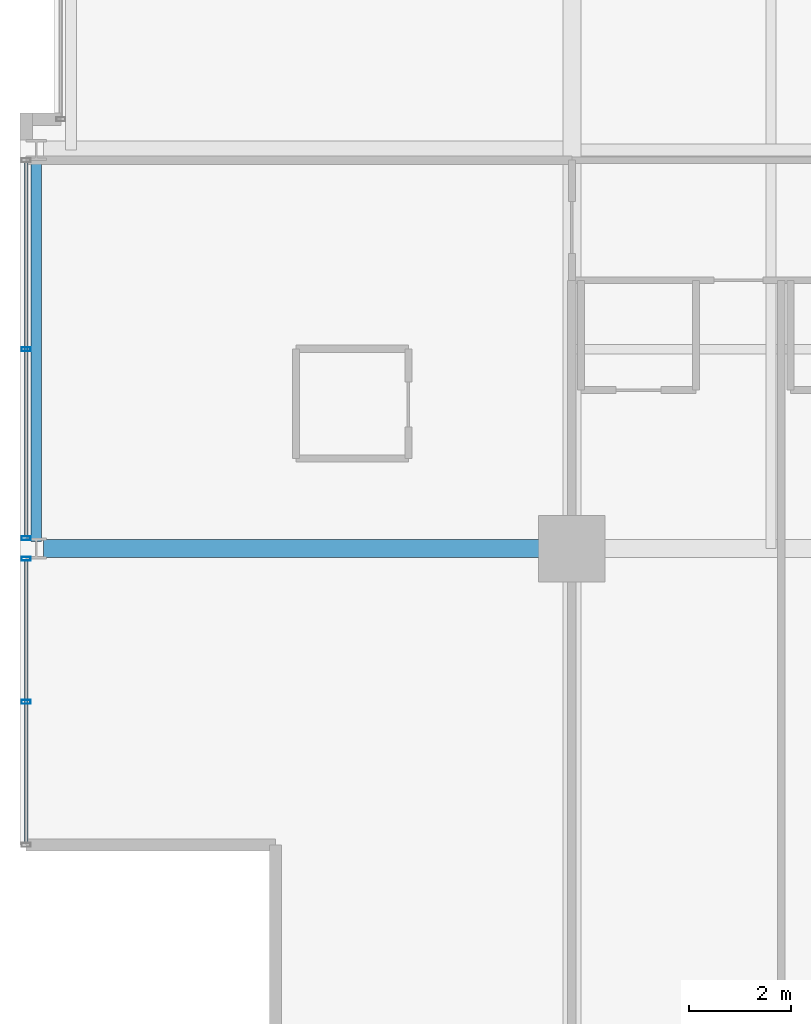
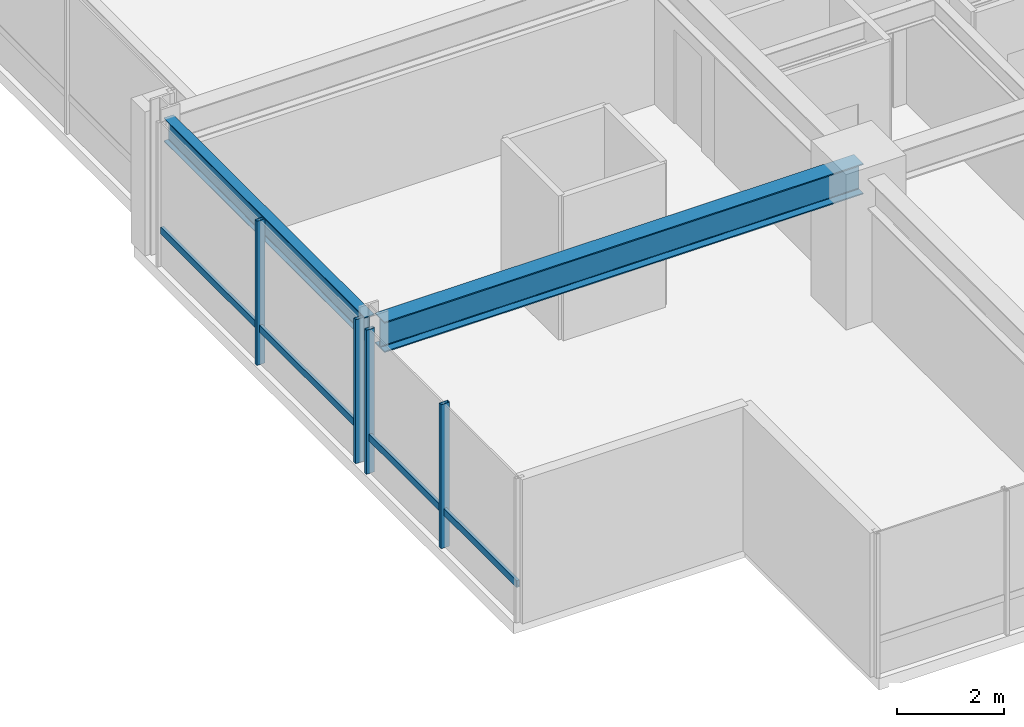
# One storey, part 4 of 32: 6 members, 2 beams, 2 elements without a shape of their own.
"""IFC4 building model written with IfcOpenShell, lengths in metres."""

from ifc_helpers import new_model, si_unit, direction, frame, origin, origin_2d, place, context, subcontext, project, spatial, hollow_rectangle, i_section, extrude, material, layer, layer_set, material_profile, profile_set, type_object, element, aggregate, save


model = new_model("IFC4")

# Units and contexts
model_context = context("Model", 3, precision=1e-05, world=origin(), true_north=direction((0.0, 1.0)))
body_context = subcontext(model_context, "Body", "Model", "MODEL_VIEW")
ifc_project = project(units=[si_unit("LENGTHUNIT", "METRE"), si_unit("AREAUNIT", "SQUARE_METRE"), si_unit("VOLUMEUNIT", "CUBIC_METRE"), si_unit("PLANEANGLEUNIT", "RADIAN"), si_unit("MASSUNIT", "GRAM", prefix="KILO")], contexts=[model_context])

# Site, building, storey
site_placement = place(None, origin())
site = spatial("IfcSite", under=ifc_project, at=site_placement, CompositionType="ELEMENT")
building_placement = place(site_placement, origin())
building = spatial("IfcBuilding", under=site, at=building_placement, Name="Drelvath Grand Hotel", CompositionType="ELEMENT")
storey_placement = place(building_placement, frame((0.0, 0.0, 157.5)))
storey = spatial("IfcBuildingStorey", under=building, at=storey_placement, Name="L40", CompositionType="ELEMENT", Elevation=157.5)

# Curtain wall, member
ifc_material_1 = material(Name="Brushed Pale-Silver Anodised Aluminium Frame", Category="aluminium")
ifc_layer = layer(ifc_material_1, 0.199951171875)
ifc_layer_set = layer_set([ifc_layer], Name="Brushed Pale-Silver Anodised Aluminium Frame")
curtain_wall_type = type_object("IfcCurtainWallType", Name="Stick Curtain Wall CW-04 Brushed Silver Upper-Mid", PredefinedType="NOTDEFINED", material=ifc_layer_set)
curtain_wall_1_placement = place(storey_placement, origin())
curtain_wall_1 = element("IfcCurtainWall", 1, at=curtain_wall_1_placement, inside=storey, type_object=curtain_wall_type, Name="L40 CW-04 Curtain Wall CW04-L40-WS1", PredefinedType="NOTDEFINED")
ifc_material_profile_1 = material_profile(ifc_material_1, hollow_rectangle(XDim=0.06494140625, YDim=0.159912109375, WallThickness=0.00390625, at=origin_2d()), Name="HSS160X65X4")
ifc_profile_set_1 = profile_set([ifc_material_profile_1], Name="Brushed Pale-Silver Anodised Aluminium Frame")
member_type_1 = type_object("IfcMemberType", Name="Curtain Wall Horizontal Transom CW-04 HSS160X65X4", PredefinedType="USERDEFINED", material=ifc_profile_set_1)
member_1_placement = place(storey_placement, frame((-26.8798828125, 5.0400390625, 0.822509765625), z_axis=(0.0, 1.0, 0.0), x_axis=(-1.0, 0.0, 0.0)))
member_1 = element("IfcMember", 2, at=member_1_placement, type_object=member_type_1, Name="CW04-L40-WS1 Sill Transom", ObjectType="TRANSOM", PredefinedType="USERDEFINED", context=body_context, shape_type="SweptSolid", body=[
    extrude(hollow_rectangle(XDim=0.06494140625, YDim=0.159912109375, WallThickness=0.00390625, at=origin_2d()), origin(), (0.0, 0.0, 1.0), 5.519775390625),
])

curtain_wall_2_placement = place(storey_placement, origin())
curtain_wall_2 = element("IfcCurtainWall", 3, at=curtain_wall_2_placement, inside=storey, type_object=curtain_wall_type, Name="L40 CW-04 Curtain Wall CW04-L40-WS2", PredefinedType="NOTDEFINED")
member_2_placement = place(storey_placement, frame((-26.8798828125, 11.0400390625, 0.822509765625), z_axis=(0.0, 1.0, 0.0), x_axis=(-1.0, 0.0, 0.0)))
member_2 = element("IfcMember", 4, at=member_2_placement, type_object=member_type_1, Name="CW04-L40-WS2 Sill Transom", ObjectType="TRANSOM", PredefinedType="USERDEFINED", context=body_context, shape_type="SweptSolid", body=[
    extrude(hollow_rectangle(XDim=0.06494140625, YDim=0.159912109375, WallThickness=0.00390625, at=origin_2d()), origin(), (0.0, 0.0, 1.0), 7.320068359375),
])

# Member
ifc_material_profile_2 = material_profile(ifc_material_1, hollow_rectangle(XDim=0.074951171875, YDim=0.179931640625, WallThickness=0.0048828125, at=origin_2d()), Name="HSS180X75X5")
ifc_profile_set_2 = profile_set([ifc_material_profile_2], Name="Brushed Pale-Silver Anodised Aluminium Frame")
member_type_2 = type_object("IfcMemberType", Name="Curtain Wall Vertical Mullion CW-04 HSS180X75X5", PredefinedType="MULLION", material=ifc_profile_set_2)
member_3_placement = place(storey_placement, frame((-26.8798828125, 7.7998046875, 0.0), z_axis=(0.0, 0.0, 1.0), x_axis=(0.0, 1.0, 0.0)))
member_3 = element("IfcMember", 5, at=member_3_placement, type_object=member_type_2, Name="CW04-L40-WS1 Mullion 2", PredefinedType="MULLION", context=body_context, shape_type="SweptSolid", body=[
    extrude(hollow_rectangle(XDim=0.074951171875, YDim=0.179931640625, WallThickness=0.0048828125, at=origin_2d()), origin(), (0.0, 0.0, 1.0), 3.2900390625),
])

member_4_placement = place(storey_placement, frame((-26.8798828125, 10.599853515625, 0.0), z_axis=(0.0, 0.0, 1.0), x_axis=(0.0, 1.0, 0.0)))
member_4 = element("IfcMember", 6, at=member_4_placement, type_object=member_type_2, Name="CW04-L40-WS1 Mullion 3", PredefinedType="MULLION", context=body_context, shape_type="SweptSolid", body=[
    extrude(hollow_rectangle(XDim=0.074951171875, YDim=0.179931640625, WallThickness=0.0048828125, at=origin_2d()), origin(), (0.0, 0.0, 1.0), 3.2900390625),
])

aggregate(curtain_wall_1, [member_3, member_4, member_1])

member_5_placement = place(storey_placement, frame((-26.8798828125, 11.0, 0.0), z_axis=(0.0, 0.0, 1.0), x_axis=(0.0, 1.0, 0.0)))
member_5 = element("IfcMember", 7, at=member_5_placement, type_object=member_type_2, Name="CW04-L40-WS2 Mullion 1", PredefinedType="MULLION", context=body_context, shape_type="SweptSolid", body=[
    extrude(hollow_rectangle(XDim=0.074951171875, YDim=0.179931640625, WallThickness=0.0048828125, at=origin_2d()), origin(), (0.0, 0.0, 1.0), 3.2900390625),
])

member_6_placement = place(storey_placement, frame((-26.8798828125, 14.699951171875, 0.0), z_axis=(0.0, 0.0, 1.0), x_axis=(0.0, 1.0, 0.0)))
member_6 = element("IfcMember", 8, at=member_6_placement, type_object=member_type_2, Name="CW04-L40-WS2 Mullion 2", PredefinedType="MULLION", context=body_context, shape_type="SweptSolid", body=[
    extrude(hollow_rectangle(XDim=0.074951171875, YDim=0.179931640625, WallThickness=0.0048828125, at=origin_2d()), origin(), (0.0, 0.0, 1.0), 3.2900390625),
])

aggregate(curtain_wall_2, [member_5, member_6, member_2])

# Beams
ifc_material_2 = material(Name="Steel ASTM A992 Gr 50", Category="steel")
ifc_material_profile_3 = material_profile(ifc_material_2, i_section(OverallWidth=0.210205078125, OverallDepth=0.53662109375, WebThickness=0.010986328125, FlangeThickness=0.017333984375, FilletRadius=0.01806640625, at=origin_2d()), Name="W21X68")
ifc_profile_set_3 = profile_set([ifc_material_profile_3], Name="Steel ASTM A992 Gr 50")
beam_type_1 = type_object("IfcBeamType", Name="Perimeter Spandrel Beam W21X68", PredefinedType="SPANDREL", material=ifc_profile_set_3)
beam_1_placement = place(storey_placement, frame((-26.679931640625, 10.93994140625, 3.021484375), z_axis=(0.0, 1.0, 0.0), x_axis=(-1.0, 0.0, 0.0)))
element("IfcBeam", 9, at=beam_1_placement, inside=storey, type_object=beam_type_1, Name="L40 Spandrel West S", PredefinedType="SPANDREL", context=body_context, shape_type="SweptSolid", body=[
    extrude(i_section(OverallWidth=0.210205078125, OverallDepth=0.53662109375, WebThickness=0.010986328125, FlangeThickness=0.017333984375, FilletRadius=0.01806640625, at=origin_2d()), origin(), (0.0, 0.0, 1.0), 7.52001953125),
])
ifc_material_profile_4 = material_profile(ifc_material_2, i_section(OverallWidth=0.354736328125, OverallDepth=0.695556640625, WebThickness=0.015380859375, FlangeThickness=0.025146484375, FilletRadius=0.02392578125, at=origin_2d()), Name="W27X146")
ifc_profile_set_4 = profile_set([ifc_material_profile_4], Name="Steel ASTM A992 Gr 50")
beam_type_2 = type_object("IfcBeamType", Name="Primary Floor Girder W27X146", PredefinedType="BEAM", material=ifc_profile_set_4)
beam_2_placement = place(storey_placement, frame((-26.5400390625, 10.800048828125, 2.9423828125), z_axis=(1.0, 0.0, 0.0), x_axis=(0.0, 1.0, 0.0)))
element("IfcBeam", 10, at=beam_2_placement, inside=storey, type_object=beam_type_2, Name="L40 West Grid Girder C", PredefinedType="BEAM", context=body_context, shape_type="SweptSolid", body=[
    extrude(i_section(OverallWidth=0.354736328125, OverallDepth=0.695556640625, WebThickness=0.015380859375, FlangeThickness=0.025146484375, FilletRadius=0.02392578125, at=origin_2d()), origin(), (0.0, 0.0, 1.0), 10.340087890625),
])

save(model, "model.ifc")
